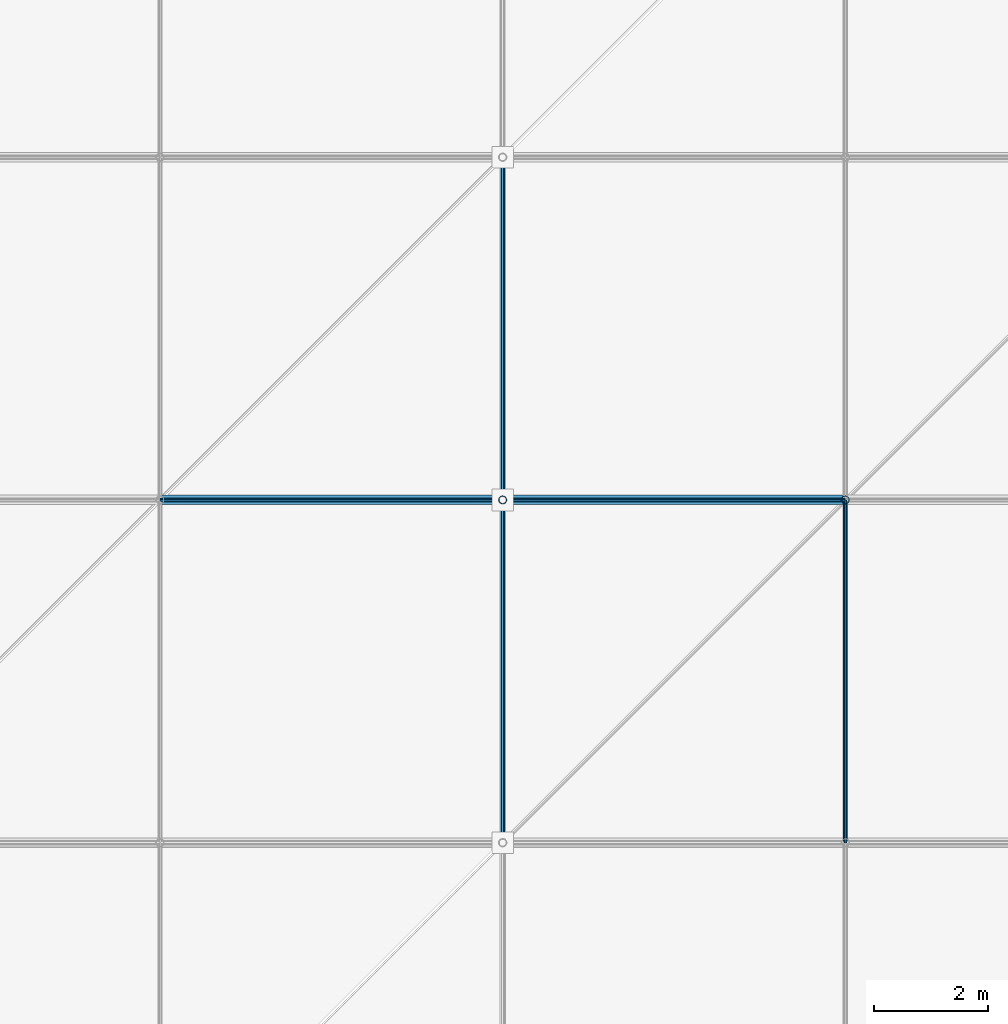
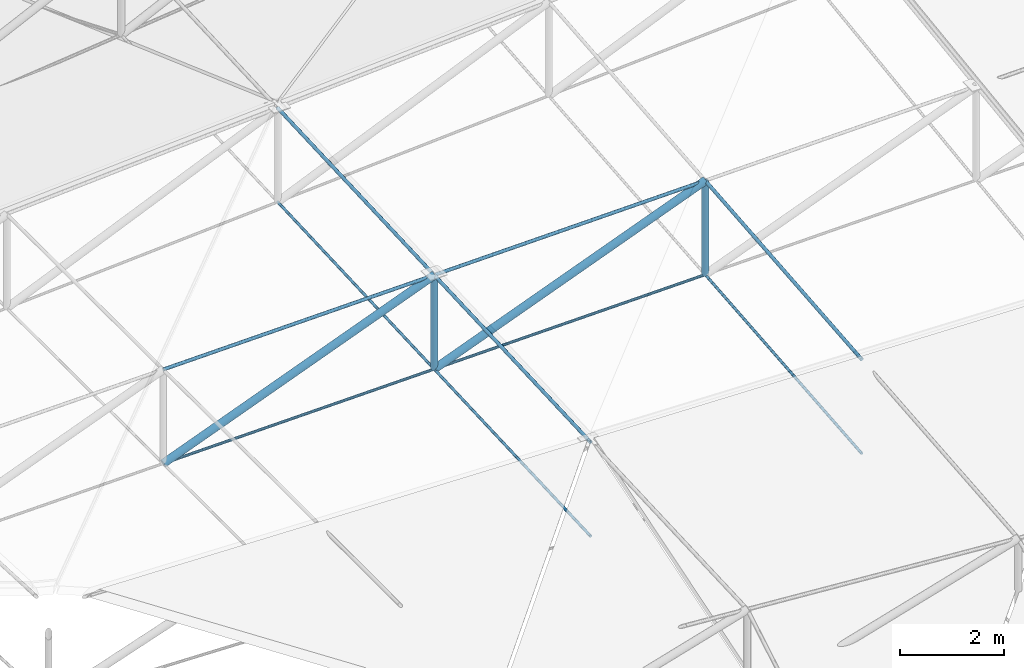
# One storey, part 37 of 132: 14 members.
"""IFC4 building model written with IfcOpenShell, lengths in metres."""

from ifc_helpers import new_model, si_unit, direction, frame, origin, origin_2d, place, context, subcontext, project, spatial, circle, hollow_circle, extrude, material, material_profile, profile_set, type_object, element, save


model = new_model("IFC4")

# Units and contexts
model_context = context("Model", 3, precision=1e-05, world=origin(), true_north=direction((0.0, 1.0)))
body_context = subcontext(model_context, "Body", "Model", "MODEL_VIEW")
ifc_project = project(units=[si_unit("LENGTHUNIT", "METRE"), si_unit("AREAUNIT", "SQUARE_METRE"), si_unit("VOLUMEUNIT", "CUBIC_METRE"), si_unit("PLANEANGLEUNIT", "RADIAN"), si_unit("MASSUNIT", "GRAM", prefix="KILO")], contexts=[model_context])

# Site, building, storey
site_placement = place(None, origin())
site = spatial("IfcSite", under=ifc_project, at=site_placement, CompositionType="ELEMENT")
building_placement = place(site_placement, origin())
building = spatial("IfcBuilding", under=site, at=building_placement, Name="Deido Ridge Mobility Hub", CompositionType="ELEMENT")
storey_placement = place(building_placement, frame((0.0, 0.0, 8.39990234375)))
storey = spatial("IfcBuildingStorey", under=building, at=storey_placement, Name="L02", CompositionType="ELEMENT", Elevation=8.39990234375)

# Members
ifc_material_1 = material(Name="Steel S460M EN 10025-4", Category="steel")
ifc_material_profile_1 = material_profile(ifc_material_1, circle(Radius=0.030029296875, at=origin_2d()), Name="CABLE D60")
ifc_profile_set_1 = profile_set([ifc_material_profile_1], Name="Steel S460M EN 10025-4")
member_type_1 = type_object("IfcMemberType", Name="MEM-CBL-D60", PredefinedType="USERDEFINED", material=ifc_profile_set_1)
for number, where, z_axis, x_axis, name in (
    (1, (30.0, 18.0, 1.800048828125), (0.999831658568, 0.0, 0.018348147706), (0.0, 1.0, 0.0), "Saddle lower stabilizing cable CB3"),
    (2, (36.0, 18.0, 1.91015625), (0.999832404079, 0.0, 0.018307478102), (0.0, 1.0, 0.0), "Saddle lower stabilizing cable CB3"),
):
    element("IfcMember", number, at=place(storey_placement, frame(where, z_axis=z_axis, x_axis=x_axis)), inside=storey, type_object=member_type_1, Name=name, ObjectType="TENSION CABLE", PredefinedType="USERDEFINED", context=body_context, shape_type="SweptSolid", body=[
        extrude(circle(Radius=0.030029296875, at=origin_2d()), origin(), (0.0, 0.0, 1.0), 6.0009765625),
    ])
member_1_placement = place(storey_placement, frame((36.0, 12.0, 1.63671875), z_axis=(0.0, 0.998963169392, 0.045525665272), x_axis=(-1.0, 0.0, 0.0)))
element("IfcMember", 3, at=member_1_placement, inside=storey, type_object=member_type_1, Name="Saddle transverse valley cable CB3", ObjectType="TENSION CABLE", PredefinedType="USERDEFINED", context=body_context, shape_type="SweptSolid", body=[
    extrude(circle(Radius=0.030029296875, at=origin_2d()), origin(), (0.0, 0.0, 1.0), 6.00634765625),
])
member_2_placement = place(storey_placement, frame((36.0, 18.0, 1.91015625), z_axis=(0.0, 0.998965017176, 0.04548510149), x_axis=(-1.0, 0.0, 0.0)))
element("IfcMember", 4, at=member_2_placement, inside=storey, type_object=member_type_1, Name="Saddle transverse valley cable CB3", ObjectType="TENSION CABLE", PredefinedType="USERDEFINED", context=body_context, shape_type="SweptSolid", body=[
    extrude(circle(Radius=0.030029296875, at=origin_2d()), origin(), (0.0, 0.0, 1.0), 6.006103515625),
])
member_3_placement = place(storey_placement, frame((42.0, 12.0, 1.473388671875), z_axis=(0.0, 0.9958755837, 0.090729387691), x_axis=(-1.0, 0.0, 0.0)))
element("IfcMember", 5, at=member_3_placement, inside=storey, type_object=member_type_1, Name="Saddle transverse valley cable CB3", ObjectType="TENSION CABLE", PredefinedType="USERDEFINED", context=body_context, shape_type="SweptSolid", body=[
    extrude(circle(Radius=0.030029296875, at=origin_2d()), origin(), (0.0, 0.0, 1.0), 6.02490234375),
])
ifc_material_profile_2 = material_profile(ifc_material_1, circle(Radius=0.0380859375, at=origin_2d()), Name="CABLE D76")
ifc_profile_set_2 = profile_set([ifc_material_profile_2], Name="Steel S460M EN 10025-4")
member_type_2 = type_object("IfcMemberType", Name="MEM-CBL-D76", PredefinedType="USERDEFINED", material=ifc_profile_set_2)
for number, where, z_axis, x_axis, name in (
    (6, (30.0, 18.0, 4.0), (0.999831658568, 0.0, 0.018348147706), (0.0, 1.0, 0.0), "Saddle upper longitudinal cable CB2"),
    (7, (36.0, 18.0, 4.110107421875), (0.999831658568, 0.0, 0.018348147706), (0.0, 1.0, 0.0), "Saddle upper longitudinal cable CB2"),
):
    element("IfcMember", number, at=place(storey_placement, frame(where, z_axis=z_axis, x_axis=x_axis)), inside=storey, type_object=member_type_2, Name=name, ObjectType="TENSION CABLE", PredefinedType="USERDEFINED", context=body_context, shape_type="SweptSolid", body=[
        extrude(circle(Radius=0.0380859375, at=origin_2d()), origin(), (0.0, 0.0, 1.0), 6.0009765625),
    ])
for number, where, z_axis, x_axis, name in (
    (8, (36.0, 12.0, 3.8369140625), (0.0, 0.998965017176, 0.04548510149), (-1.0, 0.0, 0.0), "Saddle transverse ridge cable CB2"),
    (9, (36.0, 18.0, 4.110107421875), (0.0, 0.998965017176, 0.04548510149), (-1.0, 0.0, 0.0), "Saddle transverse ridge cable CB2"),
):
    element("IfcMember", number, at=place(storey_placement, frame(where, z_axis=z_axis, x_axis=x_axis)), inside=storey, type_object=member_type_2, Name=name, ObjectType="TENSION CABLE", PredefinedType="USERDEFINED", context=body_context, shape_type="SweptSolid", body=[
        extrude(circle(Radius=0.0380859375, at=origin_2d()), origin(), (0.0, 0.0, 1.0), 6.006103515625),
    ])
member_4_placement = place(storey_placement, frame((42.0, 12.0, 3.67333984375), z_axis=(0.0, 0.995871921504, 0.090769576179), x_axis=(-1.0, 0.0, 0.0)))
element("IfcMember", 10, at=member_4_placement, inside=storey, type_object=member_type_2, Name="Saddle transverse ridge cable CB2", ObjectType="TENSION CABLE", PredefinedType="USERDEFINED", context=body_context, shape_type="SweptSolid", body=[
    extrude(circle(Radius=0.0380859375, at=origin_2d()), origin(), (0.0, 0.0, 1.0), 6.02490234375),
])
ifc_material_2 = material(Name="Steel S355J2H EN 10210-1", Category="steel")
ifc_material_profile_3 = material_profile(ifc_material_2, hollow_circle(Radius=0.06982421875, WallThickness=0.00634765625, at=origin_2d()), Name="CHS 139.7x6.3")
ifc_profile_set_3 = profile_set([ifc_material_profile_3], Name="Steel S355J2H EN 10210-1")
member_type_3 = type_object("IfcMemberType", Name="MEM-STR-CHS140", PredefinedType="STRUT", material=ifc_profile_set_3)
member_5_placement = place(storey_placement, frame((36.0, 18.0, 1.91015625), z_axis=(0.0, 0.0, 1.0), x_axis=(1.0, 0.0, 0.0)))
element("IfcMember", 11, at=member_5_placement, inside=storey, type_object=member_type_3, Name="Cable-net vertical spreader strut SR2", PredefinedType="STRUT", context=body_context, shape_type="SweptSolid", body=[
    extrude(hollow_circle(Radius=0.06982421875, WallThickness=0.00634765625, at=origin_2d()), origin(), (0.0, 0.0, 1.0), 2.199951171875),
])
member_6_placement = place(storey_placement, frame((42.0, 18.0, 2.02001953125), z_axis=(0.0, 0.0, 1.0), x_axis=(1.0, 0.0, 0.0)))
element("IfcMember", 12, at=member_6_placement, inside=storey, type_object=member_type_3, Name="Cable-net vertical spreader strut SR2", PredefinedType="STRUT", context=body_context, shape_type="SweptSolid", body=[
    extrude(hollow_circle(Radius=0.06982421875, WallThickness=0.00634765625, at=origin_2d()), origin(), (0.0, 0.0, 1.0), 2.2001953125),
])
ifc_material_profile_4 = material_profile(ifc_material_2, hollow_circle(Radius=0.084228515625, WallThickness=0.008056640625, at=origin_2d()), Name="CHS 168.3x8")
ifc_profile_set_4 = profile_set([ifc_material_profile_4], Name="Steel S355J2H EN 10210-1")
member_type_4 = type_object("IfcMemberType", Name="MEM-STR-CHS168", PredefinedType="STRUT", material=ifc_profile_set_4)
for number, where, z_axis, x_axis, name in (
    (13, (30.0, 18.0, 1.800048828125), (0.933222237046, 0.0, 0.359299674761), (0.0, 1.0, 0.0), "Saddle diagonal web strut SR1"),
    (14, (36.0, 18.0, 1.91015625), (0.933222237046, 0.0, 0.359299674761), (0.0, 1.0, 0.0), "Saddle diagonal web strut SR1"),
):
    element("IfcMember", number, at=place(storey_placement, frame(where, z_axis=z_axis, x_axis=x_axis)), inside=storey, type_object=member_type_4, Name=name, PredefinedType="STRUT", context=body_context, shape_type="SweptSolid", body=[
        extrude(hollow_circle(Radius=0.084228515625, WallThickness=0.008056640625, at=origin_2d()), origin(), (0.0, 0.0, 1.0), 6.429443359375),
    ])

save(model, "model.ifc")
